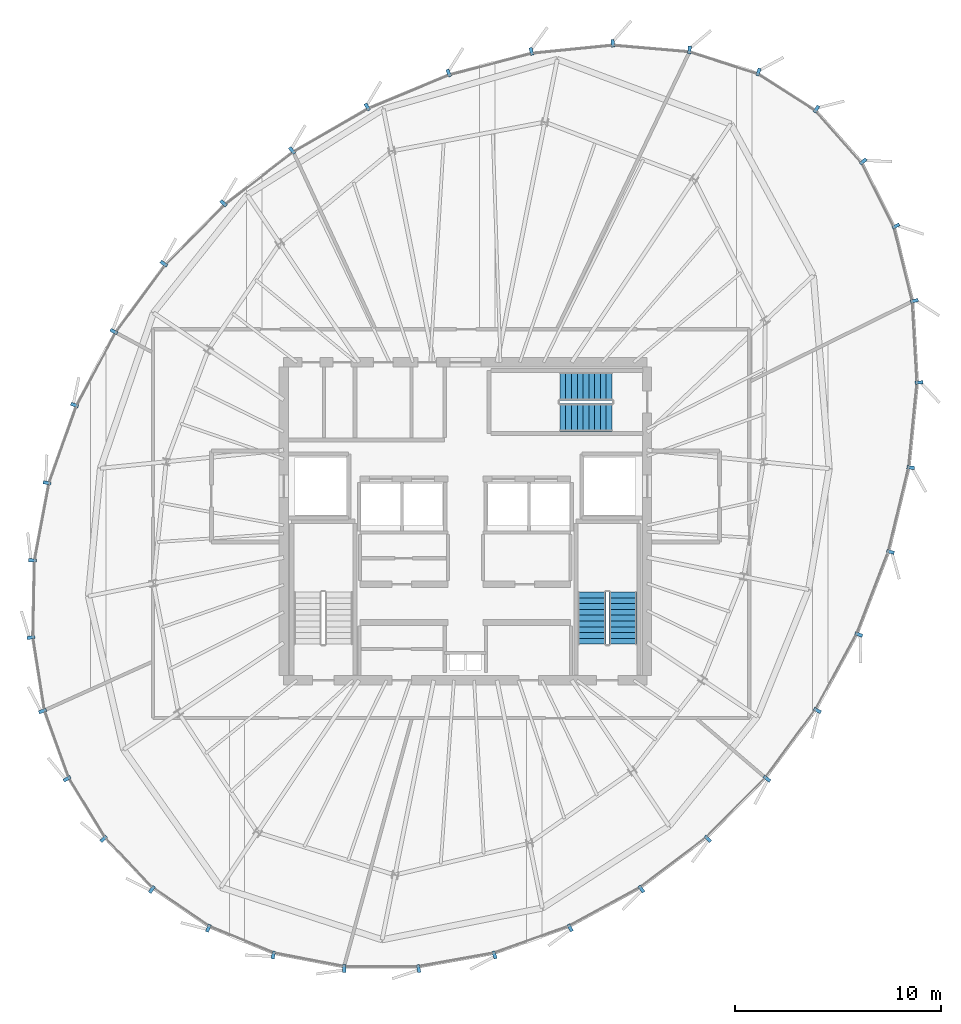
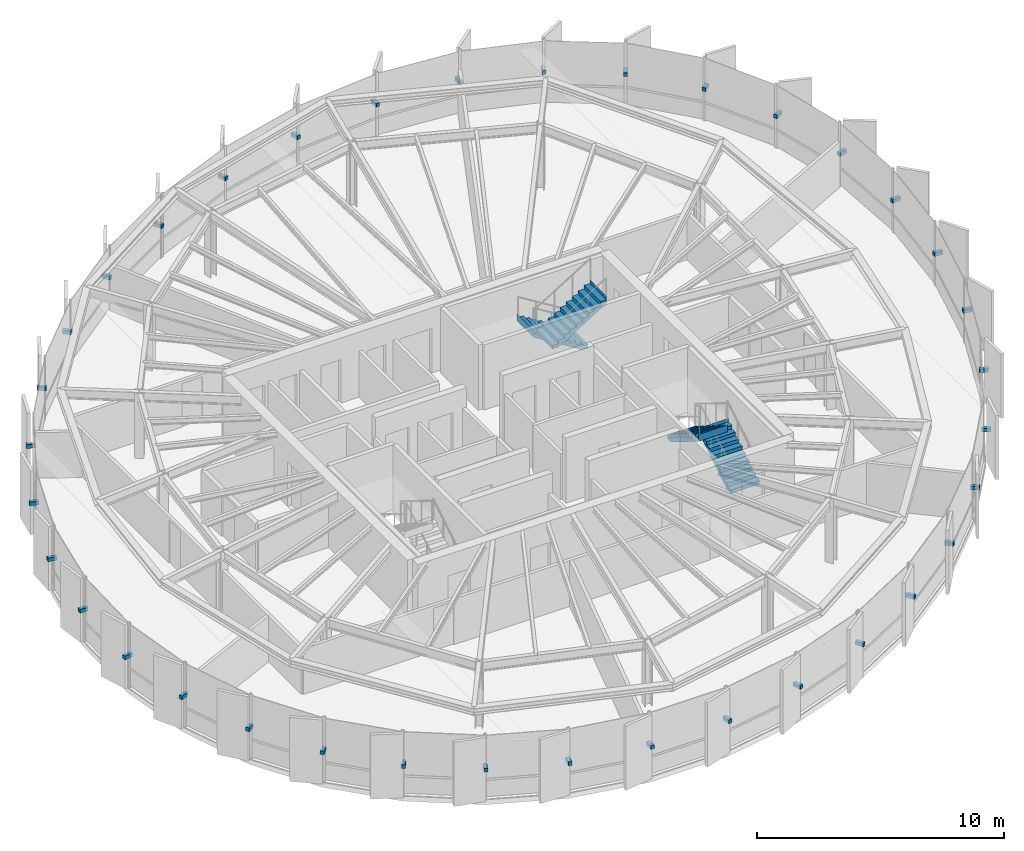
# One storey, part 29 of 33: 36 discrete accessories, 4 stair flights, 2 elements without a shape of their own.
"""IFC4 building model written with IfcOpenShell, lengths in metres."""

from ifc_helpers import new_model, si_unit, direction, frame, origin, origin_2d, place, context, subcontext, project, spatial, polyline, rectangle, outline, extrude, source, transform, mapped, material, type_object, element, aggregate, save


model = new_model("IFC4")

# Units and contexts
model_context = context("Model", 3, precision=1e-05, world=origin(), true_north=direction((0.0, 1.0)))
body_context = subcontext(model_context, "Body", "Model", "MODEL_VIEW")
ifc_project = project(units=[si_unit("LENGTHUNIT", "METRE"), si_unit("AREAUNIT", "SQUARE_METRE"), si_unit("VOLUMEUNIT", "CUBIC_METRE"), si_unit("PLANEANGLEUNIT", "RADIAN"), si_unit("MASSUNIT", "GRAM", prefix="KILO"), si_unit("THERMODYNAMICTEMPERATUREUNIT", "KELVIN")], contexts=[model_context])

# Site, building, storey
site_placement = place(None, origin())
site = spatial("IfcSite", under=ifc_project, at=site_placement, CompositionType="ELEMENT")
building_placement = place(site_placement, origin())
building = spatial("IfcBuilding", under=site, at=building_placement, Name="Kethvar Cultural Tower", CompositionType="ELEMENT")
storey_placement = place(building_placement, frame((0.0, 0.0, 235.300048828125)))
storey = spatial("IfcBuildingStorey", under=building, at=storey_placement, Name="L61", CompositionType="ELEMENT", Elevation=235.300048828125)

# Stair, stair flights
ifc_material_1 = material(Name="Concrete C40/50", Category="concrete")
stair_type = type_object("IfcStairType", Name="ST-DOGLEG-135", PredefinedType="HALF_TURN_STAIR", material=ifc_material_1)
stair_1_placement = place(storey_placement, origin())
stair_1 = element("IfcStair", 1, at=stair_1_placement, inside=storey, type_object=stair_type, Name="L61 Core Exit Stair 2", PredefinedType="HALF_TURN_STAIR")
stair_flight_type = type_object("IfcStairFlightType", Name="FL-STRAIGHT-135", PredefinedType="STRAIGHT", material=ifc_material_1)
stair_flight_1_placement = place(storey_placement, frame((54.43505859375, 21.85009765625, 0.0), z_axis=(0.0, 0.0, 1.0), x_axis=(0.0, 1.0, 0.0)))
stair_flight_1 = element("IfcStairFlight", 2, at=stair_flight_1_placement, type_object=stair_flight_type, Name="ST-02 flight 1", NumberOfRisers=10, NumberOfTreads=9, PredefinedType="STRAIGHT", RiserHeight=0.1725, TreadLength=0.28, context=body_context, shape_type="SweptSolid", body=[
    extrude(outline(polyline([(-0.0009765625, -0.0009765625), (-0.0009765625, 0.172607421875), (0.280029296875, 0.172607421875), (0.280029296875, 0.344970703125), (0.56005859375, 0.344970703125), (0.56005859375, 0.517578125), (0.840087890625, 0.517578125), (0.840087890625, 0.68994140625), (1.1201171875, 0.68994140625), (1.1201171875, 0.862548828125), (1.39990234375, 0.862548828125), (1.39990234375, 1.034912109375), (1.679931640625, 1.034912109375), (1.679931640625, 1.20751953125), (1.9599609375, 1.20751953125), (1.9599609375, 1.3798828125), (2.239990234375, 1.3798828125), (2.239990234375, 1.552490234375), (2.52001953125, 1.552490234375), (2.52001953125, 1.72509765625), (2.52099609375, 1.72509765625), (2.52099609375, 1.37646484375), (0.285888671875, 0.0), (0.0, -0.0009765625), (-0.0009765625, -0.0009765625)])), frame((0.0, 0.675048828125, 0.0), z_axis=(0.0, -1.0, 0.0), x_axis=(1.0, 0.0, 0.0)), (0.0, 0.0, 1.0), 1.35009765625),
])
stair_flight_2_placement = place(storey_placement, frame((52.925048828125, 24.3701171875, 1.724853515625), z_axis=(0.0, 0.0, 1.0), x_axis=(0.0, -1.0, 0.0)))
stair_flight_2 = element("IfcStairFlight", 3, at=stair_flight_2_placement, type_object=stair_flight_type, Name="ST-02 flight 2", NumberOfRisers=10, NumberOfTreads=9, PredefinedType="STRAIGHT", RiserHeight=0.1725, TreadLength=0.28, context=body_context, shape_type="SweptSolid", body=[
    extrude(outline(polyline([(-0.0009765625, -0.0009765625), (-0.0009765625, 0.172607421875), (0.280029296875, 0.172607421875), (0.280029296875, 0.344970703125), (0.56005859375, 0.344970703125), (0.56005859375, 0.517578125), (0.840087890625, 0.517578125), (0.840087890625, 0.68994140625), (1.1201171875, 0.68994140625), (1.1201171875, 0.862548828125), (1.39990234375, 0.862548828125), (1.39990234375, 1.034912109375), (1.679931640625, 1.034912109375), (1.679931640625, 1.20751953125), (1.9599609375, 1.20751953125), (1.9599609375, 1.3798828125), (2.239990234375, 1.3798828125), (2.239990234375, 1.552490234375), (2.52001953125, 1.552490234375), (2.52001953125, 1.72509765625), (2.52099609375, 1.72509765625), (2.52099609375, 1.37646484375), (0.285888671875, 0.0), (0.0, -0.0009765625), (-0.0009765625, -0.0009765625)])), frame((0.0, 0.675048828125, 0.0), z_axis=(0.0, -1.0, 0.0), x_axis=(1.0, 0.0, 0.0)), (0.0, 0.0, 1.0), 1.35009765625),
])
aggregate(stair_1, [stair_flight_1, stair_flight_2])

stair_2_placement = place(storey_placement, origin())
stair_2 = element("IfcStair", 4, at=stair_2_placement, inside=storey, type_object=stair_type, Name="L61 Core Exit Stair 3", PredefinedType="HALF_TURN_STAIR")
stair_flight_3_placement = place(storey_placement, frame((53.89990234375, 34.3349609375, 0.0), z_axis=(0.0, 0.0, 1.0), x_axis=(-1.0, 0.0, 0.0)))
stair_flight_3 = element("IfcStairFlight", 5, at=stair_flight_3_placement, type_object=stair_flight_type, Name="ST-03 flight 1", NumberOfRisers=10, NumberOfTreads=9, PredefinedType="STRAIGHT", RiserHeight=0.1725, TreadLength=0.28, context=body_context, shape_type="SweptSolid", body=[
    extrude(outline(polyline([(-0.0009765625, -0.0009765625), (-0.0009765625, 0.172607421875), (0.280029296875, 0.172607421875), (0.280029296875, 0.344970703125), (0.56005859375, 0.344970703125), (0.56005859375, 0.517578125), (0.840087890625, 0.517578125), (0.840087890625, 0.68994140625), (1.1201171875, 0.68994140625), (1.1201171875, 0.862548828125), (1.39990234375, 0.862548828125), (1.39990234375, 1.034912109375), (1.679931640625, 1.034912109375), (1.679931640625, 1.20751953125), (1.9599609375, 1.20751953125), (1.9599609375, 1.3798828125), (2.239990234375, 1.3798828125), (2.239990234375, 1.552490234375), (2.52001953125, 1.552490234375), (2.52001953125, 1.72509765625), (2.52099609375, 1.72509765625), (2.52099609375, 1.37646484375), (0.285888671875, 0.0), (0.0, -0.0009765625), (-0.0009765625, -0.0009765625)])), frame((0.0, 0.675048828125, 0.0), z_axis=(0.0, -1.0, 0.0), x_axis=(1.0, 0.0, 0.0)), (0.0, 0.0, 1.0), 1.35009765625),
])
stair_flight_4_placement = place(storey_placement, frame((51.3798828125, 32.824951171875, 1.724853515625), z_axis=(0.0, 0.0, 1.0), x_axis=(1.0, 0.0, 0.0)))
stair_flight_4 = element("IfcStairFlight", 6, at=stair_flight_4_placement, type_object=stair_flight_type, Name="ST-03 flight 2", NumberOfRisers=10, NumberOfTreads=9, PredefinedType="STRAIGHT", RiserHeight=0.1725, TreadLength=0.28, context=body_context, shape_type="SweptSolid", body=[
    extrude(outline(polyline([(-0.0009765625, -0.0009765625), (-0.0009765625, 0.172607421875), (0.280029296875, 0.172607421875), (0.280029296875, 0.344970703125), (0.56005859375, 0.344970703125), (0.56005859375, 0.517578125), (0.840087890625, 0.517578125), (0.840087890625, 0.68994140625), (1.1201171875, 0.68994140625), (1.1201171875, 0.862548828125), (1.39990234375, 0.862548828125), (1.39990234375, 1.034912109375), (1.679931640625, 1.034912109375), (1.679931640625, 1.20751953125), (1.9599609375, 1.20751953125), (1.9599609375, 1.3798828125), (2.239990234375, 1.3798828125), (2.239990234375, 1.552490234375), (2.52001953125, 1.552490234375), (2.52001953125, 1.72509765625), (2.52099609375, 1.72509765625), (2.52099609375, 1.37646484375), (0.285888671875, 0.0), (0.0, -0.0009765625), (-0.0009765625, -0.0009765625)])), frame((0.0, 0.675048828125, 0.0), z_axis=(0.0, -1.0, 0.0), x_axis=(1.0, 0.0, 0.0)), (0.0, 0.0, 1.0), 1.35009765625),
])
aggregate(stair_2, [stair_flight_3, stair_flight_4])

# Discrete accessories
ifc_material_2 = material(Name="Steel S355J2", Category="steel")
discrete_accessory_type = type_object("IfcDiscreteAccessoryType", Name="Steel Fin Bracket BRK-01", PredefinedType="BRACKET", material=ifc_material_2)
shared_shape = source(origin(), body_context, "Body", "SweptSolid", [
    extrude(rectangle(XDim=0.3798828125, YDim=0.159912109375, at=origin_2d()), origin(), (0.0, 0.0, 1.0), 0.179931640625),
])
for number, where, z_axis, x_axis, name in (
    (7, (63.80029296875, 47.761474609375, 1.51513671875), (0.0, 0.0, 1.0), (0.539211818177, 0.842170181815, 0.0), "L61 Terracotta Fin Bracket 1.1"),
    (8, (60.994384765625, 49.5576171875, 1.51513671875), (0.0, 0.0, 1.0), (0.305030518809, 0.95234257628, 0.0), "L61 Terracotta Fin Bracket 1.2"),
    (9, (57.65478515625, 50.626953125, 1.51513671875), (0.0, 0.0, 1.0), (0.086286365798, 0.996270376493, 0.0), "L61 Terracotta Fin Bracket 1.3"),
    (10, (53.939697265625, 50.9482421875, 1.51513671875), (0.0, 0.0, 1.0), (-0.099146078272, 0.995072889372, 0.0), "L61 Terracotta Fin Bracket 1.4"),
    (11, (49.998291015625, 50.55517578125, 1.51513671875), (0.0, 0.0, 1.0), (-0.25274488521, 0.967532957062, 0.0), "L61 Terracotta Fin Bracket 1.5"),
    (12, (45.9921875, 49.5087890625, 1.51513671875), (0.0, 0.0, 1.0), (-0.383650706743, 0.923478280858, 0.0), "L61 Terracotta Fin Bracket 1.6"),
    (13, (42.04833984375, 47.865234375, 1.51513671875), (0.0, 0.0, 1.0), (-0.500604477892, 0.865676126917, 0.0), "L61 Terracotta Fin Bracket 2.1"),
    (14, (38.40380859375, 45.75732421875, 1.51513671875), (0.0, 0.0, 1.0), (-0.609730238396, 0.792609005996, 0.0), "L61 Terracotta Fin Bracket 2.2"),
    (15, (35.082275390625, 43.2021484375, 1.51513671875), (0.0, 0.0, 1.0), (-0.71239359485, 0.701780140797, 0.0), "L61 Terracotta Fin Bracket 2.3"),
    (16, (32.1962890625, 40.27197265625, 1.51513671875), (0.0, 0.0, 1.0), (-0.804893797356, 0.593418886604, 0.0), "L61 Terracotta Fin Bracket 2.4"),
    (17, (29.776611328125, 36.989501953125, 1.51513671875), (0.0, 0.0, 1.0), (-0.882044645501, 0.471165834227, 0.0), "L61 Terracotta Fin Bracket 2.5"),
    (18, (27.8740234375, 33.427978515625, 1.51513671875), (0.0, 0.0, 1.0), (-0.942174490079, 0.335122709234, 0.0), "L61 Terracotta Fin Bracket 2.6"),
    (19, (26.5400390625, 29.66015625, 1.51513671875), (0.0, 0.0, 1.0), (-0.982806687355, 0.184637524056, 0.0), "L61 Terracotta Fin Bracket 3.1"),
    (20, (25.83447265625, 25.905029296875, 1.51513671875), (0.0, 0.0, 1.0), (-0.9997950604, 0.020244436248, 0.0), "L61 Terracotta Fin Bracket 3.2"),
    (21, (25.75927734375, 22.172119140625, 1.51513671875), (0.0, 0.0, 1.0), (-0.987688340595, -0.15643446504, 0.0), "L61 Terracotta Fin Bracket 3.3"),
    (22, (26.3232421875, 18.6103515625, 1.51513671875), (0.0, 0.0, 1.0), (-0.940466220425, -0.339887169865, 0.0), "L61 Terracotta Fin Bracket 3.4"),
    (23, (27.510009765625, 15.32763671875, 1.51513671875), (0.0, 0.0, 1.0), (-0.853550797275, -0.521009631841, 0.0), "L61 Terracotta Fin Bracket 3.5"),
    (24, (29.28271484375, 12.423583984375, 1.51513671875), (0.0, 0.0, 1.0), (-0.726454740512, -0.687214311542, 0.0), "L61 Terracotta Fin Bracket 3.6"),
    (25, (31.6171875, 9.966796875, 1.51513671875), (0.0, 0.0, 1.0), (-0.565111004292, -0.825014880368, 0.0), "L61 Terracotta Fin Bracket 4.1"),
    (26, (34.355224609375, 8.092041015625, 1.51513671875), (0.0, 0.0, 1.0), (-0.38107037635, -0.924546033612, 0.0), "L61 Terracotta Fin Bracket 4.2"),
    (27, (37.500732421875, 6.795654296875, 1.51513671875), (0.0, 0.0, 1.0), (-0.188581264713, -0.98205758823, 0.0), "L61 Terracotta Fin Bracket 4.3"),
    (28, (40.9287109375, 6.1376953125, 1.51513671875), (0.0, 0.0, 1.0), (0.0, -1.0, 0.0), "L61 Terracotta Fin Bracket 4.4"),
    (29, (44.534912109375, 6.137939453125, 1.51513671875), (0.0, 0.0, 1.0), (0.176397599067, -0.984318996588, 0.0), "L61 Terracotta Fin Bracket 4.5"),
    (30, (48.209716796875, 6.79638671875, 1.51513671875), (0.0, 0.0, 1.0), (0.336109168121, -0.941823033858, 0.0), "L61 Terracotta Fin Bracket 4.6"),
    (31, (51.873291015625, 8.110107421875, 1.51513671875), (0.0, 0.0, 1.0), (0.478385354909, -0.878150016915, 0.0), "L61 Terracotta Fin Bracket 5.1"),
    (32, (55.32080078125, 9.98828125, 1.51513671875), (0.0, 0.0, 1.0), (0.603347183213, -0.797478637023, 0.0), "L61 Terracotta Fin Bracket 5.2"),
    (33, (58.54052734375, 12.4248046875, 1.51513671875), (0.0, 0.0, 1.0), (0.712026045991, -0.702153052995, 0.0), "L61 Terracotta Fin Bracket 5.3"),
    (34, (61.40380859375, 15.328125, 1.51513671875), (0.0, 0.0, 1.0), (0.804582973635, -0.593840246647, 0.0), "L61 Terracotta Fin Bracket 5.4"),
    (35, (63.84619140625, 18.63720703125, 1.51513671875), (0.0, 0.0, 1.0), (0.878233497535, -0.478232081533, 0.0), "L61 Terracotta Fin Bracket 5.5"),
    (36, (65.850341796875, 22.3173828125, 1.51513671875), (0.0, 0.0, 1.0), (0.933330010984, -0.359019624251, 0.0), "L61 Terracotta Fin Bracket 5.6"),
    (37, (67.383056640625, 26.315185546875, 1.51513671875), (0.0, 0.0, 1.0), (0.972124923868, -0.234463499069, 0.0), "L61 Terracotta Fin Bracket 6.1"),
    (38, (68.367919921875, 30.3994140625, 1.51513671875), (0.0, 0.0, 1.0), (0.995159031741, -0.09827767572, 0.0), "L61 Terracotta Fin Bracket 6.2"),
    (39, (68.77490234375, 34.520263671875, 1.51513671875), (0.0, 0.0, 1.0), (0.99833175459, 0.0577382696, 0.0), "L61 Terracotta Fin Bracket 6.3"),
    (40, (68.5458984375, 38.474609375, 1.51513671875), (0.0, 0.0, 1.0), (0.970548534222, 0.240905671828, 0.0), "L61 Terracotta Fin Bracket 6.4"),
    (41, (67.64697265625, 42.09423828125, 1.51513671875), (0.0, 0.0, 1.0), (0.892900372813, 0.450254288408, 0.0), "L61 Terracotta Fin Bracket 6.5"),
    (42, (66.067626953125, 45.225341796875, 1.51513671875), (0.0, 0.0, 1.0), (0.747450357056, 0.664317667789, 0.0), "L61 Terracotta Fin Bracket 6.6"),
):
    element("IfcDiscreteAccessory", number, at=place(storey_placement, frame(where, z_axis=z_axis, x_axis=x_axis)), inside=storey, type_object=discrete_accessory_type, Name=name, PredefinedType="BRACKET", context=body_context, shape_type="MappedRepresentation", body=[
        mapped(shared_shape, transform((0.0, 0.0, 0.0), scale=1.0)),
    ])

save(model, "model.ifc")
